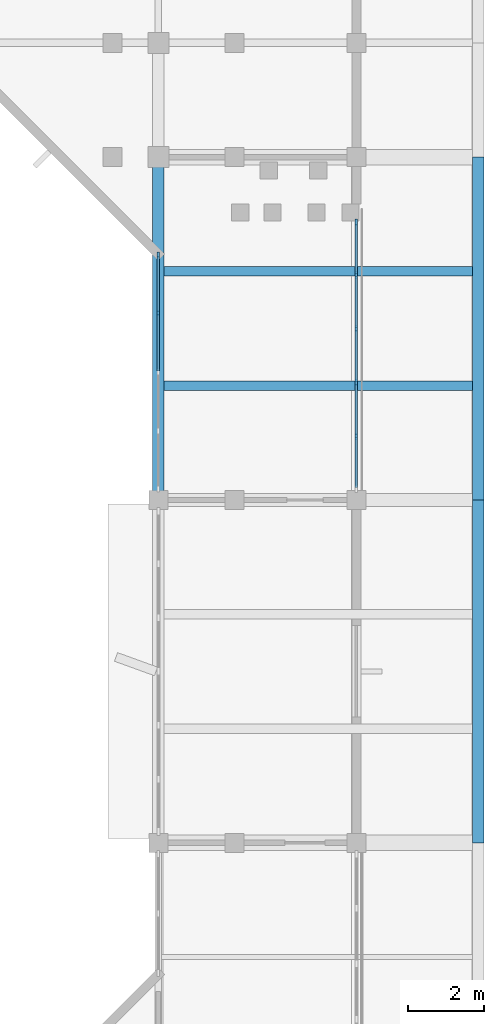
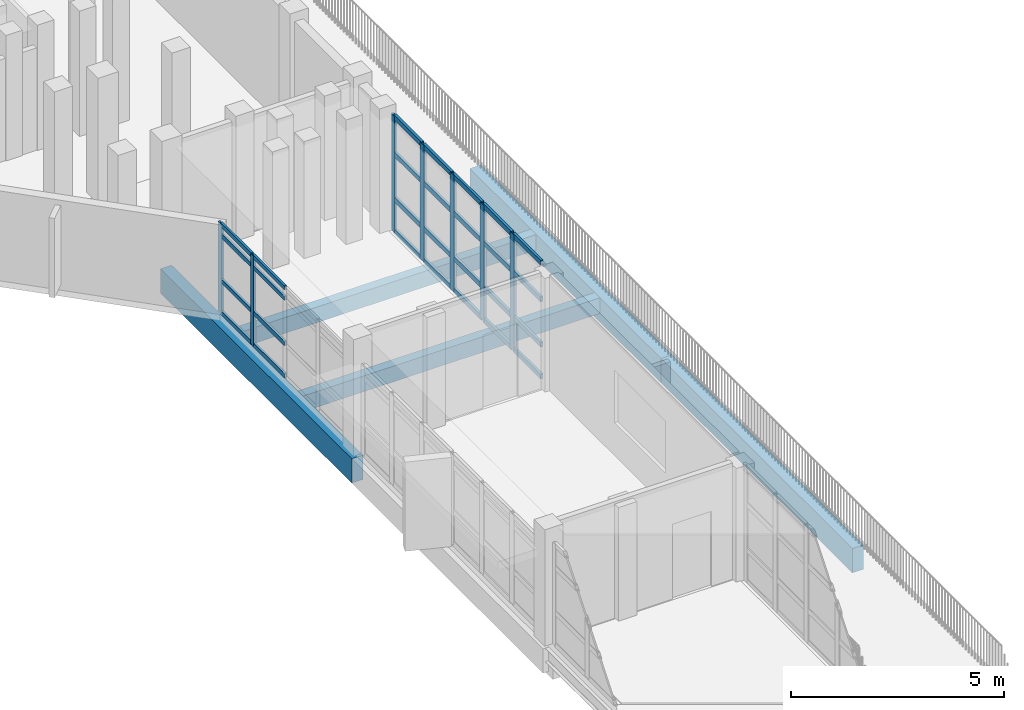
# One storey, part 14 of 51: 35 members, 5 beams, 2 elements without a shape of their own.
"""IFC4 building model written with IfcOpenShell, lengths in metres."""

import ifcopenshell
import ifcopenshell.guid

model = None  # the IFC model being written
_history = None  # IfcOwnerHistory: only IFC2X3 demands one
_inside = {}  # id of a spatial element -> (the spatial element, [elements in it])
_under = {}  # id of a project, library or spatial element -> (it, [spatial elements below it])
_declared = {}  # id of a project -> (the project, [libraries it declares])
_typed = {}  # id of a type object -> (the type object, [elements of that type])
_made_of = {}  # id of a material, layer set ... -> (it, [elements and type objects made of it])


def new_model(schema):
    """Start an empty IFC model of exactly this schema.

    Asked for "IFC4X3", IfcOpenShell would pick the latest addendum, in which some entities
    have other attributes; the version numbers below select the first issue.
    IFC2X3 requires an IfcOwnerHistory on every rooted entity: one is made here for all.
    """
    global model, _history
    if schema == "IFC4X3":
        model = ifcopenshell.file(schema_version=(4, 3, 0, 0))
    else:
        model = ifcopenshell.file(schema=schema)
    _inside.clear()
    _under.clear()
    _declared.clear()
    _typed.clear()
    _made_of.clear()
    _history = None
    if model.schema == "IFC2X3":
        org = make("IfcOrganization", Name="unknown")
        user = make(
            "IfcPersonAndOrganization",
            ThePerson=make("IfcPerson", FamilyName="unknown"),
            TheOrganization=org,
        )
        app = make(
            "IfcApplication",
            ApplicationDeveloper=org,
            Version="unknown",
            ApplicationFullName="unknown",
            ApplicationIdentifier="unknown",
        )
        _history = make(
            "IfcOwnerHistory",
            OwningUser=user,
            OwningApplication=app,
            ChangeAction="ADDED",
            CreationDate=0,
        )
    return model


def make(cls, **values):
    """One entity of the class cls with the attributes given. An attribute that is None is left unset."""
    return model.create_entity(
        cls, **{name: value for name, value in values.items() if value is not None}
    )


def rooted(cls, **values):
    """An entity with a GlobalId (a new one), such as an element, a storey or a relation."""
    return make(cls, GlobalId=ifcopenshell.guid.new(), OwnerHistory=_history, **values)


def si_unit(unit_type, name, prefix=None):
    """IfcSIUnit, for example si_unit("LENGTHUNIT", "METRE", prefix="MILLI")."""
    return make("IfcSIUnit", UnitType=unit_type, Prefix=prefix, Name=name)


def assignment(units):
    """IfcUnitAssignment: the units of a project."""
    return None if units is None else make("IfcUnitAssignment", Units=units)


def point(xyz):
    """IfcCartesianPoint."""
    return None if xyz is None else make("IfcCartesianPoint", Coordinates=xyz)


def direction(xyz):
    """IfcDirection."""
    return None if xyz is None else make("IfcDirection", DirectionRatios=xyz)


def frame(location, z_axis=None, x_axis=None):
    """IfcAxis2Placement3D, a coordinate frame: its origin and axes. An axis left out is left unset."""
    return make(
        "IfcAxis2Placement3D",
        Location=point(location),
        Axis=direction(z_axis),
        RefDirection=direction(x_axis),
    )


def frame_2d(location, x_axis=None):
    """IfcAxis2Placement2D, a coordinate frame in the plane: its origin and x axis."""
    return make(
        "IfcAxis2Placement2D", Location=point(location), RefDirection=direction(x_axis)
    )


def origin():
    """The frame at (0, 0, 0) with its axes left unset."""
    return frame((0.0, 0.0, 0.0))


def origin_2d():
    """The frame at (0, 0) in the plane with its x axis left unset."""
    return frame_2d((0.0, 0.0))


def place(relative_to, where):
    """IfcLocalPlacement: puts the frame where relative to a parent placement (None: the world)."""
    return make(
        "IfcLocalPlacement", PlacementRelTo=relative_to, RelativePlacement=where
    )


def context(
    kind, dimensions, precision=None, world=None, true_north=None, identifier=None
):
    """IfcGeometricRepresentationContext, for example the 3D "Model" context."""
    return make(
        "IfcGeometricRepresentationContext",
        ContextIdentifier=identifier,
        ContextType=kind,
        CoordinateSpaceDimension=dimensions,
        Precision=precision,
        WorldCoordinateSystem=world,
        TrueNorth=true_north,
    )


def subcontext(parent, identifier, kind, view, scale=None):
    """IfcGeometricRepresentationSubContext, for example "Body" below "Model"."""
    return make(
        "IfcGeometricRepresentationSubContext",
        ContextIdentifier=identifier,
        ContextType=kind,
        ParentContext=parent,
        TargetScale=scale,
        TargetView=view,
    )


def project(units=None, contexts=None):
    """IfcProject with its units and contexts."""
    return rooted(
        "IfcProject",
        Name="project",
        RepresentationContexts=contexts,
        UnitsInContext=assignment(units),
    )


def spatial(cls, under=None, at=None, **own):
    """A site, building, storey or space (cls), placed at a placement, below another one or the project."""
    s = rooted(cls, ObjectPlacement=at, **own)
    if under is not None:
        _under.setdefault(under.id(), (under, []))[1].append(s)
    return s


def profile(cls, at=None, kind="AREA", **sizes):
    """A parametric profile (cls). Its sizes go by their IFC names, for example OverallWidth=200.0."""
    return make(cls, ProfileType=kind, Position=at, **sizes)


def rectangle(**sizes):
    """IfcRectangleProfileDef."""
    return profile("IfcRectangleProfileDef", **sizes)


def extrude(swept, where, along, depth):
    """IfcExtrudedAreaSolid: the profile swept, set in the frame where, extruded along a direction by depth."""
    return make(
        "IfcExtrudedAreaSolid",
        SweptArea=swept,
        Position=where,
        ExtrudedDirection=direction(along),
        Depth=depth,
    )


def shape(context_of_items, identifier, shape_type, items):
    """IfcShapeRepresentation: the items that make up one representation, for example the "Body"."""
    return make(
        "IfcShapeRepresentation",
        ContextOfItems=context_of_items,
        RepresentationIdentifier=identifier,
        RepresentationType=shape_type,
        Items=items,
    )


def material(Name=None, Category=None):
    """IfcMaterial."""
    return make("IfcMaterial", Name=Name, Category=Category)


def material_profile(
    of_material, cross_section, Name=None, Category=None, Priority=None
):
    """IfcMaterialProfile: a cross section and its material."""
    return make(
        "IfcMaterialProfile",
        Name=Name,
        Material=of_material,
        Profile=cross_section,
        Priority=Priority,
        Category=Category,
    )


def profile_set(profiles, Name=None, composite=None):
    """IfcMaterialProfileSet."""
    return make(
        "IfcMaterialProfileSet",
        Name=Name,
        MaterialProfiles=profiles,
        CompositeProfile=composite,
    )


def made_of(thing, what):
    """Note that an element or type object is made of a material, layer set ...; save() writes the relation."""
    if what is not None:
        _made_of.setdefault(what.id(), (what, []))[1].append(thing)
    return thing


def type_object(cls, material=None, **own):
    """A type object (cls), such as IfcWallType, which elements share."""
    return made_of(rooted(cls, **own), material)


def element(
    cls,
    number,
    at=None,
    inside=None,
    cuts=None,
    type_object=None,
    material=None,
    context=None,
    identifier="Body",
    shape_type=None,
    held_by="IfcProductDefinitionShape",
    body=None,
    shapes=None,
    **own,
):
    """One element of the class cls, such as IfcWall. Its Tag is "e" and its number.

    at: its placement. inside: the storey or other place that contains it. cuts: it is an
    opening in that element (IfcRelVoidsElement). A single representation is given by context,
    identifier, shape_type and body (its items); several are given by shapes. held_by: the class
    of the entity that holds the representations. save() writes the other relations.
    """
    e = rooted(cls, Tag="e%d" % number, ObjectPlacement=at, **own)
    if body is not None:
        shapes = [shape(context, identifier, shape_type, body)]
    if shapes is not None:
        e.Representation = make(held_by, Representations=shapes)
    if inside is not None:
        _inside.setdefault(inside.id(), (inside, []))[1].append(e)
    if cuts is not None:
        rooted(
            "IfcRelVoidsElement", RelatingBuildingElement=cuts, RelatedOpeningElement=e
        )
    if type_object is not None:
        _typed.setdefault(type_object.id(), (type_object, []))[1].append(e)
    return made_of(e, material)


def aggregate(whole, parts):
    """IfcRelAggregates: a whole, such as a stair, and the parts it consists of."""
    return rooted("IfcRelAggregates", RelatingObject=whole, RelatedObjects=parts)


def save(model, path):
    """Write the relations noted so far, then the file.

    IfcRelAggregates (storeys below a building ...), IfcRelContainedInSpatialStructure (elements
    in a storey), IfcRelDefinesByType, IfcRelAssociatesMaterial and IfcRelDeclares: one each for
    every whole, place, type object, material and project.
    """
    for whole, parts in _under.values():
        aggregate(whole, parts)
    for where, things in _inside.values():
        rooted(
            "IfcRelContainedInSpatialStructure",
            RelatedElements=things,
            RelatingStructure=where,
        )
    for kind, things in _typed.values():
        rooted("IfcRelDefinesByType", RelatedObjects=things, RelatingType=kind)
    for what, things in _made_of.values():
        rooted("IfcRelAssociatesMaterial", RelatedObjects=things, RelatingMaterial=what)
    for by, libraries in _declared.values():
        rooted("IfcRelDeclares", RelatingContext=by, RelatedDefinitions=libraries)
    model.write(path)


model = new_model("IFC4")

# Units and contexts
model_context = context("Model", 3, precision=1e-05, world=origin(), true_north=direction((0.0, 1.0)))
body_context = subcontext(model_context, "Body", "Model", "MODEL_VIEW")
ifc_project = project(units=[si_unit("LENGTHUNIT", "METRE"), si_unit("AREAUNIT", "SQUARE_METRE"), si_unit("VOLUMEUNIT", "CUBIC_METRE"), si_unit("PLANEANGLEUNIT", "RADIAN"), si_unit("MASSUNIT", "GRAM", prefix="KILO")], contexts=[model_context])

# Site, building, storey
site_placement = place(None, origin())
site = spatial("IfcSite", under=ifc_project, at=site_placement, CompositionType="ELEMENT")
building_placement = place(site_placement, origin())
building = spatial("IfcBuilding", under=site, at=building_placement, Name="Vanh Quang Courtyard School", CompositionType="ELEMENT")
storey_placement = place(building_placement, frame((0.0, 0.0, 11.39990234375)))
storey = spatial("IfcBuildingStorey", under=building, at=storey_placement, Name="L03", CompositionType="ELEMENT", Elevation=11.39990234375)

# Beams
ifc_material_1 = material(Name="Concrete C35/45", Category="concrete")
ifc_material_profile_1 = material_profile(ifc_material_1, rectangle(XDim=0.300048828125, YDim=0.699951171875, at=origin_2d()), Name="RC-SP 300x700")
ifc_profile_set_1 = profile_set([ifc_material_profile_1], Name="Concrete C35/45")
beam_type_1 = type_object("IfcBeamType", Name="BM-SP-300x700", PredefinedType="SPANDREL", material=ifc_profile_set_1)
for number, where, z_axis, x_axis, name in (
    (1, (111.0, 59.39990234375, -0.60986328125), (0.0, 1.0, 0.0), (-1.0, 0.0, 0.0), "Beam BS-01 (L03)"),
    (2, (119.39990234375, 50.39990234375, -0.669921875), (0.0, 1.0, 0.0), (-1.0, 0.0, 0.0), "Beam BS-01 (L03)"),
    (3, (119.39990234375, 59.39990234375, -0.669921875), (0.0, 1.0, 0.0), (-1.0, 0.0, 0.0), "Beam BS-01 (L03)"),
):
    element("IfcBeam", number, at=place(storey_placement, frame(where, z_axis=z_axis, x_axis=x_axis)), inside=storey, type_object=beam_type_1, Name=name, PredefinedType="SPANDREL", context=body_context, shape_type="SweptSolid", body=[
        extrude(rectangle(XDim=0.300048828125, YDim=0.699951171875, at=origin_2d()), origin(), (0.0, 0.0, 1.0), 9.0),
    ])

# Curtain wall, members
ifc_material_2 = material(Name="Thermally broken aluminium unitised curtain wall", Category="aluminium")
curtain_wall_type_1 = type_object("IfcCurtainWallType", Name="CW-SYS-44", PredefinedType="NOTDEFINED", material=ifc_material_2)
curtain_wall_1_placement = place(storey_placement, origin())
curtain_wall_1 = element("IfcCurtainWall", 4, at=curtain_wall_1_placement, inside=storey, type_object=curtain_wall_type_1, Name="Curtain Wall CW-44 (L03)", PredefinedType="NOTDEFINED")
ifc_material_3 = material(Name="Anodised aluminium 6063-T6", Category="aluminium")
ifc_material_profile_2 = material_profile(ifc_material_3, rectangle(XDim=0.06005859375, YDim=0.159912109375, at=origin_2d()), Name="ALU-MUL 60x160")
ifc_profile_set_2 = profile_set([ifc_material_profile_2], Name="Anodised aluminium 6063-T6")
member_type_1 = type_object("IfcMemberType", Name="CW-MUL-60x160", PredefinedType="MULLION", material=ifc_profile_set_2)
member_1_placement = place(storey_placement, frame((111.0, 64.306396484375, 0.0), z_axis=(0.0, 0.0, 1.0), x_axis=(-1.0, 0.0, 0.0)))
member_1 = element("IfcMember", 5, at=member_1_placement, type_object=member_type_1, Name="CW-44 mullion 4", PredefinedType="MULLION", context=body_context, shape_type="SweptSolid", body=[
    extrude(rectangle(XDim=0.06005859375, YDim=0.159912109375, at=origin_2d()), origin(), (0.0, 0.0, 1.0), 2.580078125),
])
member_2_placement = place(storey_placement, frame((111.0, 65.825927734375, 0.0), z_axis=(0.0, 0.0, 1.0), x_axis=(-1.0, 0.0, 0.0)))
member_2 = element("IfcMember", 6, at=member_2_placement, type_object=member_type_1, Name="CW-44 mullion 5", PredefinedType="MULLION", context=body_context, shape_type="SweptSolid", body=[
    extrude(rectangle(XDim=0.06005859375, YDim=0.159912109375, at=origin_2d()), origin(), (0.0, 0.0, 1.0), 2.580078125),
])

curtain_wall_type_2 = type_object("IfcCurtainWallType", Name="CW-SYS-59", PredefinedType="NOTDEFINED", material=ifc_material_2)
curtain_wall_2_placement = place(storey_placement, origin())
curtain_wall_2 = element("IfcCurtainWall", 7, at=curtain_wall_2_placement, inside=storey, type_object=curtain_wall_type_2, Name="Curtain Wall CW-59 (L03)", PredefinedType="NOTDEFINED")
ifc_material_profile_3 = material_profile(ifc_material_3, rectangle(XDim=0.070068359375, YDim=0.179931640625, at=origin_2d()), Name="ALU-MUL 70x180")
ifc_profile_set_3 = profile_set([ifc_material_profile_3], Name="Anodised aluminium 6063-T6")
member_type_2 = type_object("IfcMemberType", Name="CW-MUL-70x180", PredefinedType="MULLION", material=ifc_profile_set_3)
member_3_placement = place(storey_placement, frame((116.199951171875, 66.681884765625, 0.0), z_axis=(0.0, 0.0, 1.0), x_axis=(1.0, 0.0, 0.0)))
member_3 = element("IfcMember", 8, at=member_3_placement, type_object=member_type_2, Name="CW-59 mullion 1", PredefinedType="MULLION", context=body_context, shape_type="SweptSolid", body=[
    extrude(rectangle(XDim=0.070068359375, YDim=0.179931640625, at=origin_2d()), origin(), (0.0, 0.0, 1.0), 3.340087890625),
])
member_4_placement = place(storey_placement, frame((116.199951171875, 65.30517578125, 0.0), z_axis=(0.0, 0.0, 1.0), x_axis=(1.0, 0.0, 0.0)))
member_4 = element("IfcMember", 9, at=member_4_placement, type_object=member_type_2, Name="CW-59 mullion 2", PredefinedType="MULLION", context=body_context, shape_type="SweptSolid", body=[
    extrude(rectangle(XDim=0.070068359375, YDim=0.179931640625, at=origin_2d()), origin(), (0.0, 0.0, 1.0), 3.340087890625),
])
member_5_placement = place(storey_placement, frame((116.199951171875, 63.893310546875, 0.0), z_axis=(0.0, 0.0, 1.0), x_axis=(1.0, 0.0, 0.0)))
member_5 = element("IfcMember", 10, at=member_5_placement, type_object=member_type_2, Name="CW-59 mullion 3", PredefinedType="MULLION", context=body_context, shape_type="SweptSolid", body=[
    extrude(rectangle(XDim=0.070068359375, YDim=0.179931640625, at=origin_2d()), origin(), (0.0, 0.0, 1.0), 3.340087890625),
])
member_6_placement = place(storey_placement, frame((116.199951171875, 62.481689453125, 0.0), z_axis=(0.0, 0.0, 1.0), x_axis=(1.0, 0.0, 0.0)))
member_6 = element("IfcMember", 11, at=member_6_placement, type_object=member_type_2, Name="CW-59 mullion 4", PredefinedType="MULLION", context=body_context, shape_type="SweptSolid", body=[
    extrude(rectangle(XDim=0.070068359375, YDim=0.179931640625, at=origin_2d()), origin(), (0.0, 0.0, 1.0), 3.340087890625),
])
member_7_placement = place(storey_placement, frame((116.199951171875, 61.06982421875, 0.0), z_axis=(0.0, 0.0, 1.0), x_axis=(1.0, 0.0, 0.0)))
member_7 = element("IfcMember", 12, at=member_7_placement, type_object=member_type_2, Name="CW-59 mullion 5", PredefinedType="MULLION", context=body_context, shape_type="SweptSolid", body=[
    extrude(rectangle(XDim=0.070068359375, YDim=0.179931640625, at=origin_2d()), origin(), (0.0, 0.0, 1.0), 3.340087890625),
])

# Member
ifc_material_profile_4 = material_profile(ifc_material_3, rectangle(XDim=0.06005859375, YDim=0.1201171875, at=origin_2d()), Name="ALU-TRN 60x120")
ifc_profile_set_4 = profile_set([ifc_material_profile_4], Name="Anodised aluminium 6063-T6")
member_type_3 = type_object("IfcMemberType", Name="CW-TRN-60x120", PredefinedType="USERDEFINED", material=ifc_profile_set_4)
member_8_placement = place(storey_placement, frame((111.0, 62.787109375, 0.030029296875), z_axis=(0.0, 1.0, 0.0), x_axis=(-1.0, 0.0, 0.0)))
member_8 = element("IfcMember", 13, at=member_8_placement, type_object=member_type_3, Name="CW-44 transom 3.1", ObjectType="TRANSOM", PredefinedType="USERDEFINED", context=body_context, shape_type="SweptSolid", body=[
    extrude(rectangle(XDim=0.06005859375, YDim=0.1201171875, at=origin_2d()), origin(), (0.0, 0.0, 1.0), 1.489501953125),
])

member_9_placement = place(storey_placement, frame((111.0, 62.787109375, 0.9501953125), z_axis=(0.0, 1.0, 0.0), x_axis=(-1.0, 0.0, 0.0)))
member_9 = element("IfcMember", 14, at=member_9_placement, type_object=member_type_3, Name="CW-44 transom 3.2", ObjectType="TRANSOM", PredefinedType="USERDEFINED", context=body_context, shape_type="SweptSolid", body=[
    extrude(rectangle(XDim=0.06005859375, YDim=0.1201171875, at=origin_2d()), origin(), (0.0, 0.0, 1.0), 1.489501953125),
])

member_10_placement = place(storey_placement, frame((111.0, 62.787109375, 2.25), z_axis=(0.0, 1.0, 0.0), x_axis=(-1.0, 0.0, 0.0)))
member_10 = element("IfcMember", 15, at=member_10_placement, type_object=member_type_3, Name="CW-44 transom 3.3", ObjectType="TRANSOM", PredefinedType="USERDEFINED", context=body_context, shape_type="SweptSolid", body=[
    extrude(rectangle(XDim=0.06005859375, YDim=0.1201171875, at=origin_2d()), origin(), (0.0, 0.0, 1.0), 1.489501953125),
])

member_11_placement = place(storey_placement, frame((111.0, 62.787109375, 2.550048828125), z_axis=(0.0, 1.0, 0.0), x_axis=(-1.0, 0.0, 0.0)))
member_11 = element("IfcMember", 16, at=member_11_placement, type_object=member_type_3, Name="CW-44 transom 3.4", ObjectType="TRANSOM", PredefinedType="USERDEFINED", context=body_context, shape_type="SweptSolid", body=[
    extrude(rectangle(XDim=0.06005859375, YDim=0.1201171875, at=origin_2d()), origin(), (0.0, 0.0, 1.0), 1.489501953125),
])

member_12_placement = place(storey_placement, frame((111.0, 64.33642578125, 0.030029296875), z_axis=(0.0, 1.0, 0.0), x_axis=(-1.0, 0.0, 0.0)))
member_12 = element("IfcMember", 17, at=member_12_placement, type_object=member_type_3, Name="CW-44 transom 4.1", ObjectType="TRANSOM", PredefinedType="USERDEFINED", context=body_context, shape_type="SweptSolid", body=[
    extrude(rectangle(XDim=0.06005859375, YDim=0.1201171875, at=origin_2d()), origin(), (0.0, 0.0, 1.0), 1.45947265625),
])

member_13_placement = place(storey_placement, frame((111.0, 64.33642578125, 0.9501953125), z_axis=(0.0, 1.0, 0.0), x_axis=(-1.0, 0.0, 0.0)))
member_13 = element("IfcMember", 18, at=member_13_placement, type_object=member_type_3, Name="CW-44 transom 4.2", ObjectType="TRANSOM", PredefinedType="USERDEFINED", context=body_context, shape_type="SweptSolid", body=[
    extrude(rectangle(XDim=0.06005859375, YDim=0.1201171875, at=origin_2d()), origin(), (0.0, 0.0, 1.0), 1.45947265625),
])

member_14_placement = place(storey_placement, frame((111.0, 64.33642578125, 2.25), z_axis=(0.0, 1.0, 0.0), x_axis=(-1.0, 0.0, 0.0)))
member_14 = element("IfcMember", 19, at=member_14_placement, type_object=member_type_3, Name="CW-44 transom 4.3", ObjectType="TRANSOM", PredefinedType="USERDEFINED", context=body_context, shape_type="SweptSolid", body=[
    extrude(rectangle(XDim=0.06005859375, YDim=0.1201171875, at=origin_2d()), origin(), (0.0, 0.0, 1.0), 1.45947265625),
])

member_15_placement = place(storey_placement, frame((111.0, 64.33642578125, 2.550048828125), z_axis=(0.0, 1.0, 0.0), x_axis=(-1.0, 0.0, 0.0)))
member_15 = element("IfcMember", 20, at=member_15_placement, type_object=member_type_3, Name="CW-44 transom 4.4", ObjectType="TRANSOM", PredefinedType="USERDEFINED", context=body_context, shape_type="SweptSolid", body=[
    extrude(rectangle(XDim=0.06005859375, YDim=0.1201171875, at=origin_2d()), origin(), (0.0, 0.0, 1.0), 1.45947265625),
])

aggregate(curtain_wall_1, [member_1, member_2, member_8, member_9, member_10, member_11, member_12, member_13, member_14, member_15])

ifc_material_profile_5 = material_profile(ifc_material_3, rectangle(XDim=0.070068359375, YDim=0.139892578125, at=origin_2d()), Name="ALU-TRN 70x140")
ifc_profile_set_5 = profile_set([ifc_material_profile_5], Name="Anodised aluminium 6063-T6")
member_type_4 = type_object("IfcMemberType", Name="CW-TRN-70x140", PredefinedType="USERDEFINED", material=ifc_profile_set_5)
member_16_placement = place(storey_placement, frame((116.199951171875, 66.64697265625, 0.03515625), z_axis=(0.0, -1.0, 0.0), x_axis=(1.0, 0.0, 0.0)))
member_16 = element("IfcMember", 21, at=member_16_placement, type_object=member_type_4, Name="CW-59 transom 1.1", ObjectType="TRANSOM", PredefinedType="USERDEFINED", context=body_context, shape_type="SweptSolid", body=[
    extrude(rectangle(XDim=0.070068359375, YDim=0.139892578125, at=origin_2d()), origin(), (0.0, 0.0, 1.0), 1.306884765625),
])

member_17_placement = place(storey_placement, frame((116.199951171875, 66.64697265625, 0.9501953125), z_axis=(0.0, -1.0, 0.0), x_axis=(1.0, 0.0, 0.0)))
member_17 = element("IfcMember", 22, at=member_17_placement, type_object=member_type_4, Name="CW-59 transom 1.2", ObjectType="TRANSOM", PredefinedType="USERDEFINED", context=body_context, shape_type="SweptSolid", body=[
    extrude(rectangle(XDim=0.070068359375, YDim=0.139892578125, at=origin_2d()), origin(), (0.0, 0.0, 1.0), 1.306884765625),
])

member_18_placement = place(storey_placement, frame((116.199951171875, 66.64697265625, 2.25), z_axis=(0.0, -1.0, 0.0), x_axis=(1.0, 0.0, 0.0)))
member_18 = element("IfcMember", 23, at=member_18_placement, type_object=member_type_4, Name="CW-59 transom 1.3", ObjectType="TRANSOM", PredefinedType="USERDEFINED", context=body_context, shape_type="SweptSolid", body=[
    extrude(rectangle(XDim=0.070068359375, YDim=0.139892578125, at=origin_2d()), origin(), (0.0, 0.0, 1.0), 1.306884765625),
])

member_19_placement = place(storey_placement, frame((116.199951171875, 66.64697265625, 3.30517578125), z_axis=(0.0, -1.0, 0.0), x_axis=(1.0, 0.0, 0.0)))
member_19 = element("IfcMember", 24, at=member_19_placement, type_object=member_type_4, Name="CW-59 transom 1.4", ObjectType="TRANSOM", PredefinedType="USERDEFINED", context=body_context, shape_type="SweptSolid", body=[
    extrude(rectangle(XDim=0.070068359375, YDim=0.139892578125, at=origin_2d()), origin(), (0.0, 0.0, 1.0), 1.306884765625),
])

member_20_placement = place(storey_placement, frame((116.199951171875, 65.270263671875, 0.03515625), z_axis=(0.0, -1.0, 0.0), x_axis=(1.0, 0.0, 0.0)))
member_20 = element("IfcMember", 25, at=member_20_placement, type_object=member_type_4, Name="CW-59 transom 2.1", ObjectType="TRANSOM", PredefinedType="USERDEFINED", context=body_context, shape_type="SweptSolid", body=[
    extrude(rectangle(XDim=0.070068359375, YDim=0.139892578125, at=origin_2d()), origin(), (0.0, 0.0, 1.0), 1.341796875),
])

member_21_placement = place(storey_placement, frame((116.199951171875, 65.270263671875, 0.9501953125), z_axis=(0.0, -1.0, 0.0), x_axis=(1.0, 0.0, 0.0)))
member_21 = element("IfcMember", 26, at=member_21_placement, type_object=member_type_4, Name="CW-59 transom 2.2", ObjectType="TRANSOM", PredefinedType="USERDEFINED", context=body_context, shape_type="SweptSolid", body=[
    extrude(rectangle(XDim=0.070068359375, YDim=0.139892578125, at=origin_2d()), origin(), (0.0, 0.0, 1.0), 1.341796875),
])

member_22_placement = place(storey_placement, frame((116.199951171875, 65.270263671875, 2.25), z_axis=(0.0, -1.0, 0.0), x_axis=(1.0, 0.0, 0.0)))
member_22 = element("IfcMember", 27, at=member_22_placement, type_object=member_type_4, Name="CW-59 transom 2.3", ObjectType="TRANSOM", PredefinedType="USERDEFINED", context=body_context, shape_type="SweptSolid", body=[
    extrude(rectangle(XDim=0.070068359375, YDim=0.139892578125, at=origin_2d()), origin(), (0.0, 0.0, 1.0), 1.341796875),
])

member_23_placement = place(storey_placement, frame((116.199951171875, 65.270263671875, 3.30517578125), z_axis=(0.0, -1.0, 0.0), x_axis=(1.0, 0.0, 0.0)))
member_23 = element("IfcMember", 28, at=member_23_placement, type_object=member_type_4, Name="CW-59 transom 2.4", ObjectType="TRANSOM", PredefinedType="USERDEFINED", context=body_context, shape_type="SweptSolid", body=[
    extrude(rectangle(XDim=0.070068359375, YDim=0.139892578125, at=origin_2d()), origin(), (0.0, 0.0, 1.0), 1.341796875),
])

member_24_placement = place(storey_placement, frame((116.199951171875, 63.8583984375, 0.03515625), z_axis=(0.0, -1.0, 0.0), x_axis=(1.0, 0.0, 0.0)))
member_24 = element("IfcMember", 29, at=member_24_placement, type_object=member_type_4, Name="CW-59 transom 3.1", ObjectType="TRANSOM", PredefinedType="USERDEFINED", context=body_context, shape_type="SweptSolid", body=[
    extrude(rectangle(XDim=0.070068359375, YDim=0.139892578125, at=origin_2d()), origin(), (0.0, 0.0, 1.0), 1.341796875),
])

member_25_placement = place(storey_placement, frame((116.199951171875, 63.8583984375, 0.9501953125), z_axis=(0.0, -1.0, 0.0), x_axis=(1.0, 0.0, 0.0)))
member_25 = element("IfcMember", 30, at=member_25_placement, type_object=member_type_4, Name="CW-59 transom 3.2", ObjectType="TRANSOM", PredefinedType="USERDEFINED", context=body_context, shape_type="SweptSolid", body=[
    extrude(rectangle(XDim=0.070068359375, YDim=0.139892578125, at=origin_2d()), origin(), (0.0, 0.0, 1.0), 1.341796875),
])

member_26_placement = place(storey_placement, frame((116.199951171875, 63.8583984375, 2.25), z_axis=(0.0, -1.0, 0.0), x_axis=(1.0, 0.0, 0.0)))
member_26 = element("IfcMember", 31, at=member_26_placement, type_object=member_type_4, Name="CW-59 transom 3.3", ObjectType="TRANSOM", PredefinedType="USERDEFINED", context=body_context, shape_type="SweptSolid", body=[
    extrude(rectangle(XDim=0.070068359375, YDim=0.139892578125, at=origin_2d()), origin(), (0.0, 0.0, 1.0), 1.341796875),
])

member_27_placement = place(storey_placement, frame((116.199951171875, 63.8583984375, 3.30517578125), z_axis=(0.0, -1.0, 0.0), x_axis=(1.0, 0.0, 0.0)))
member_27 = element("IfcMember", 32, at=member_27_placement, type_object=member_type_4, Name="CW-59 transom 3.4", ObjectType="TRANSOM", PredefinedType="USERDEFINED", context=body_context, shape_type="SweptSolid", body=[
    extrude(rectangle(XDim=0.070068359375, YDim=0.139892578125, at=origin_2d()), origin(), (0.0, 0.0, 1.0), 1.341796875),
])

member_28_placement = place(storey_placement, frame((116.199951171875, 62.446533203125, 0.03515625), z_axis=(0.0, -1.0, 0.0), x_axis=(1.0, 0.0, 0.0)))
member_28 = element("IfcMember", 33, at=member_28_placement, type_object=member_type_4, Name="CW-59 transom 4.1", ObjectType="TRANSOM", PredefinedType="USERDEFINED", context=body_context, shape_type="SweptSolid", body=[
    extrude(rectangle(XDim=0.070068359375, YDim=0.139892578125, at=origin_2d()), origin(), (0.0, 0.0, 1.0), 1.341796875),
])

member_29_placement = place(storey_placement, frame((116.199951171875, 62.446533203125, 0.9501953125), z_axis=(0.0, -1.0, 0.0), x_axis=(1.0, 0.0, 0.0)))
member_29 = element("IfcMember", 34, at=member_29_placement, type_object=member_type_4, Name="CW-59 transom 4.2", ObjectType="TRANSOM", PredefinedType="USERDEFINED", context=body_context, shape_type="SweptSolid", body=[
    extrude(rectangle(XDim=0.070068359375, YDim=0.139892578125, at=origin_2d()), origin(), (0.0, 0.0, 1.0), 1.341796875),
])

member_30_placement = place(storey_placement, frame((116.199951171875, 62.446533203125, 2.25), z_axis=(0.0, -1.0, 0.0), x_axis=(1.0, 0.0, 0.0)))
member_30 = element("IfcMember", 35, at=member_30_placement, type_object=member_type_4, Name="CW-59 transom 4.3", ObjectType="TRANSOM", PredefinedType="USERDEFINED", context=body_context, shape_type="SweptSolid", body=[
    extrude(rectangle(XDim=0.070068359375, YDim=0.139892578125, at=origin_2d()), origin(), (0.0, 0.0, 1.0), 1.341796875),
])

member_31_placement = place(storey_placement, frame((116.199951171875, 62.446533203125, 3.30517578125), z_axis=(0.0, -1.0, 0.0), x_axis=(1.0, 0.0, 0.0)))
member_31 = element("IfcMember", 36, at=member_31_placement, type_object=member_type_4, Name="CW-59 transom 4.4", ObjectType="TRANSOM", PredefinedType="USERDEFINED", context=body_context, shape_type="SweptSolid", body=[
    extrude(rectangle(XDim=0.070068359375, YDim=0.139892578125, at=origin_2d()), origin(), (0.0, 0.0, 1.0), 1.341796875),
])

member_32_placement = place(storey_placement, frame((116.199951171875, 61.034912109375, 0.03515625), z_axis=(0.0, -1.0, 0.0), x_axis=(1.0, 0.0, 0.0)))
member_32 = element("IfcMember", 37, at=member_32_placement, type_object=member_type_4, Name="CW-59 transom 5.1", ObjectType="TRANSOM", PredefinedType="USERDEFINED", context=body_context, shape_type="SweptSolid", body=[
    extrude(rectangle(XDim=0.070068359375, YDim=0.139892578125, at=origin_2d()), origin(), (0.0, 0.0, 1.0), 1.306884765625),
])

member_33_placement = place(storey_placement, frame((116.199951171875, 61.034912109375, 0.9501953125), z_axis=(0.0, -1.0, 0.0), x_axis=(1.0, 0.0, 0.0)))
member_33 = element("IfcMember", 38, at=member_33_placement, type_object=member_type_4, Name="CW-59 transom 5.2", ObjectType="TRANSOM", PredefinedType="USERDEFINED", context=body_context, shape_type="SweptSolid", body=[
    extrude(rectangle(XDim=0.070068359375, YDim=0.139892578125, at=origin_2d()), origin(), (0.0, 0.0, 1.0), 1.306884765625),
])

member_34_placement = place(storey_placement, frame((116.199951171875, 61.034912109375, 2.25), z_axis=(0.0, -1.0, 0.0), x_axis=(1.0, 0.0, 0.0)))
member_34 = element("IfcMember", 39, at=member_34_placement, type_object=member_type_4, Name="CW-59 transom 5.3", ObjectType="TRANSOM", PredefinedType="USERDEFINED", context=body_context, shape_type="SweptSolid", body=[
    extrude(rectangle(XDim=0.070068359375, YDim=0.139892578125, at=origin_2d()), origin(), (0.0, 0.0, 1.0), 1.306884765625),
])

member_35_placement = place(storey_placement, frame((116.199951171875, 61.034912109375, 3.30517578125), z_axis=(0.0, -1.0, 0.0), x_axis=(1.0, 0.0, 0.0)))
member_35 = element("IfcMember", 40, at=member_35_placement, type_object=member_type_4, Name="CW-59 transom 5.4", ObjectType="TRANSOM", PredefinedType="USERDEFINED", context=body_context, shape_type="SweptSolid", body=[
    extrude(rectangle(XDim=0.070068359375, YDim=0.139892578125, at=origin_2d()), origin(), (0.0, 0.0, 1.0), 1.306884765625),
])

aggregate(curtain_wall_2, [member_3, member_4, member_5, member_6, member_7, member_16, member_17, member_18, member_19, member_20, member_21, member_22, member_23, member_24, member_25, member_26, member_27, member_28, member_29, member_30, member_31, member_32, member_33, member_34, member_35])

# Beams
ifc_material_4 = material(Name="Concrete C30/37", Category="concrete")
ifc_material_profile_6 = material_profile(ifc_material_4, rectangle(XDim=0.25, YDim=0.449951171875, at=origin_2d()), Name="RC-JST 250x450")
ifc_profile_set_6 = profile_set([ifc_material_profile_6], Name="Concrete C30/37")
beam_type_2 = type_object("IfcBeamType", Name="JST-RC-250x450", PredefinedType="JOIST", material=ifc_profile_set_6)
for number, where, z_axis, x_axis, name in (
    (41, (111.14990234375, 62.39990234375, -0.544921875), (1.0, 0.0, 0.0), (0.0, 1.0, 0.0), "Beam BJ-02 (L03)"),
    (42, (111.14990234375, 65.39990234375, -0.544921875), (1.0, 0.0, 0.0), (0.0, 1.0, 0.0), "Beam BJ-02 (L03)"),
):
    element("IfcBeam", number, at=place(storey_placement, frame(where, z_axis=z_axis, x_axis=x_axis)), inside=storey, type_object=beam_type_2, Name=name, PredefinedType="JOIST", context=body_context, shape_type="SweptSolid", body=[
        extrude(rectangle(XDim=0.25, YDim=0.449951171875, at=origin_2d()), origin(), (0.0, 0.0, 1.0), 8.10009765625),
    ])

save(model, "model.ifc")
